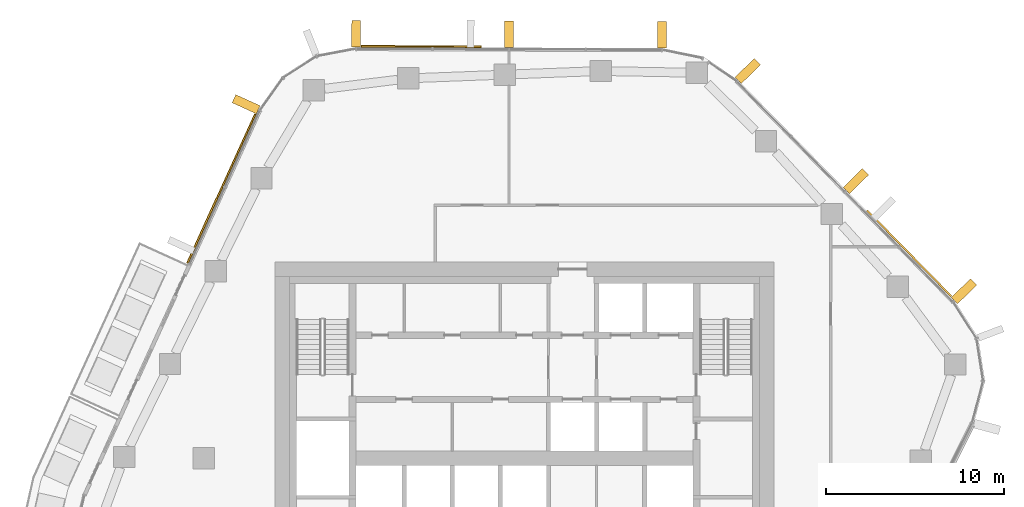
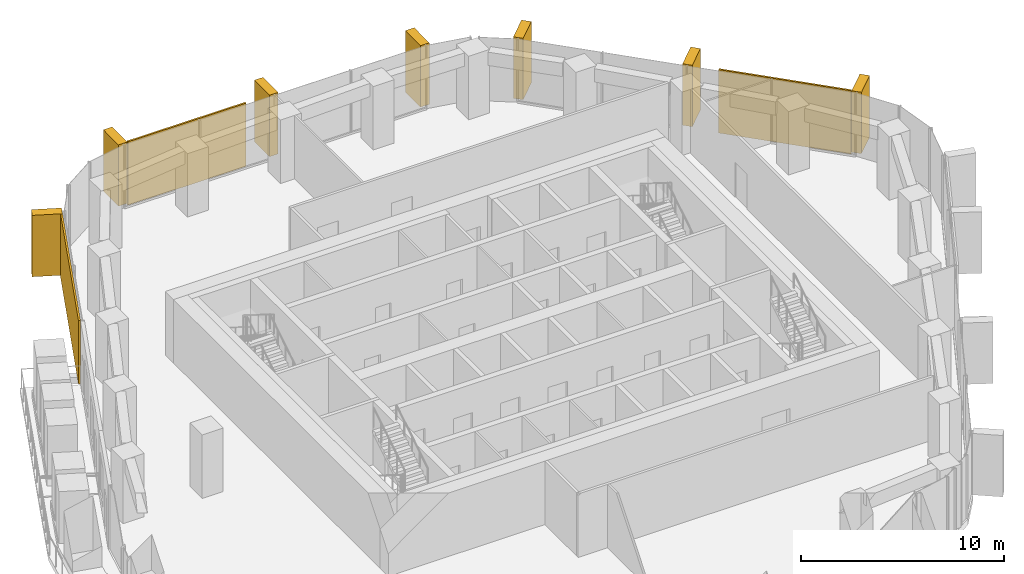
# One storey, part 18 of 18: 10 coverings, 3 elements without a shape of their own.
"""IFC4 building model written with IfcOpenShell, lengths in metres."""

import ifcopenshell
import ifcopenshell.guid

model = None  # the IFC model being written
_history = None  # IfcOwnerHistory: only IFC2X3 demands one
_inside = {}  # id of a spatial element -> (the spatial element, [elements in it])
_under = {}  # id of a project, library or spatial element -> (it, [spatial elements below it])
_declared = {}  # id of a project -> (the project, [libraries it declares])
_typed = {}  # id of a type object -> (the type object, [elements of that type])
_made_of = {}  # id of a material, layer set ... -> (it, [elements and type objects made of it])


def new_model(schema):
    """Start an empty IFC model of exactly this schema.

    Asked for "IFC4X3", IfcOpenShell would pick the latest addendum, in which some entities
    have other attributes; the version numbers below select the first issue.
    IFC2X3 requires an IfcOwnerHistory on every rooted entity: one is made here for all.
    """
    global model, _history
    if schema == "IFC4X3":
        model = ifcopenshell.file(schema_version=(4, 3, 0, 0))
    else:
        model = ifcopenshell.file(schema=schema)
    _inside.clear()
    _under.clear()
    _declared.clear()
    _typed.clear()
    _made_of.clear()
    _history = None
    if model.schema == "IFC2X3":
        org = make("IfcOrganization", Name="unknown")
        user = make(
            "IfcPersonAndOrganization",
            ThePerson=make("IfcPerson", FamilyName="unknown"),
            TheOrganization=org,
        )
        app = make(
            "IfcApplication",
            ApplicationDeveloper=org,
            Version="unknown",
            ApplicationFullName="unknown",
            ApplicationIdentifier="unknown",
        )
        _history = make(
            "IfcOwnerHistory",
            OwningUser=user,
            OwningApplication=app,
            ChangeAction="ADDED",
            CreationDate=0,
        )
    return model


def make(cls, **values):
    """One entity of the class cls with the attributes given. An attribute that is None is left unset."""
    return model.create_entity(
        cls, **{name: value for name, value in values.items() if value is not None}
    )


def rooted(cls, **values):
    """An entity with a GlobalId (a new one), such as an element, a storey or a relation."""
    return make(cls, GlobalId=ifcopenshell.guid.new(), OwnerHistory=_history, **values)


def si_unit(unit_type, name, prefix=None):
    """IfcSIUnit, for example si_unit("LENGTHUNIT", "METRE", prefix="MILLI")."""
    return make("IfcSIUnit", UnitType=unit_type, Prefix=prefix, Name=name)


def assignment(units):
    """IfcUnitAssignment: the units of a project."""
    return None if units is None else make("IfcUnitAssignment", Units=units)


def point(xyz):
    """IfcCartesianPoint."""
    return None if xyz is None else make("IfcCartesianPoint", Coordinates=xyz)


def direction(xyz):
    """IfcDirection."""
    return None if xyz is None else make("IfcDirection", DirectionRatios=xyz)


def frame(location, z_axis=None, x_axis=None):
    """IfcAxis2Placement3D, a coordinate frame: its origin and axes. An axis left out is left unset."""
    return make(
        "IfcAxis2Placement3D",
        Location=point(location),
        Axis=direction(z_axis),
        RefDirection=direction(x_axis),
    )


def frame_2d(location, x_axis=None):
    """IfcAxis2Placement2D, a coordinate frame in the plane: its origin and x axis."""
    return make(
        "IfcAxis2Placement2D", Location=point(location), RefDirection=direction(x_axis)
    )


def origin():
    """The frame at (0, 0, 0) with its axes left unset."""
    return frame((0.0, 0.0, 0.0))


def origin_2d():
    """The frame at (0, 0) in the plane with its x axis left unset."""
    return frame_2d((0.0, 0.0))


def place(relative_to, where):
    """IfcLocalPlacement: puts the frame where relative to a parent placement (None: the world)."""
    return make(
        "IfcLocalPlacement", PlacementRelTo=relative_to, RelativePlacement=where
    )


def context(
    kind, dimensions, precision=None, world=None, true_north=None, identifier=None
):
    """IfcGeometricRepresentationContext, for example the 3D "Model" context."""
    return make(
        "IfcGeometricRepresentationContext",
        ContextIdentifier=identifier,
        ContextType=kind,
        CoordinateSpaceDimension=dimensions,
        Precision=precision,
        WorldCoordinateSystem=world,
        TrueNorth=true_north,
    )


def subcontext(parent, identifier, kind, view, scale=None):
    """IfcGeometricRepresentationSubContext, for example "Body" below "Model"."""
    return make(
        "IfcGeometricRepresentationSubContext",
        ContextIdentifier=identifier,
        ContextType=kind,
        ParentContext=parent,
        TargetScale=scale,
        TargetView=view,
    )


def project(units=None, contexts=None):
    """IfcProject with its units and contexts."""
    return rooted(
        "IfcProject",
        Name="project",
        RepresentationContexts=contexts,
        UnitsInContext=assignment(units),
    )


def spatial(cls, under=None, at=None, **own):
    """A site, building, storey or space (cls), placed at a placement, below another one or the project."""
    s = rooted(cls, ObjectPlacement=at, **own)
    if under is not None:
        _under.setdefault(under.id(), (under, []))[1].append(s)
    return s


def profile(cls, at=None, kind="AREA", **sizes):
    """A parametric profile (cls). Its sizes go by their IFC names, for example OverallWidth=200.0."""
    return make(cls, ProfileType=kind, Position=at, **sizes)


def rectangle(**sizes):
    """IfcRectangleProfileDef."""
    return profile("IfcRectangleProfileDef", **sizes)


def extrude(swept, where, along, depth):
    """IfcExtrudedAreaSolid: the profile swept, set in the frame where, extruded along a direction by depth."""
    return make(
        "IfcExtrudedAreaSolid",
        SweptArea=swept,
        Position=where,
        ExtrudedDirection=direction(along),
        Depth=depth,
    )


def shape(context_of_items, identifier, shape_type, items):
    """IfcShapeRepresentation: the items that make up one representation, for example the "Body"."""
    return make(
        "IfcShapeRepresentation",
        ContextOfItems=context_of_items,
        RepresentationIdentifier=identifier,
        RepresentationType=shape_type,
        Items=items,
    )


def material(Name=None, Category=None):
    """IfcMaterial."""
    return make("IfcMaterial", Name=Name, Category=Category)


def layer(
    of_material, thickness, ventilated=None, Name=None, Category=None, Priority=None
):
    """IfcMaterialLayer: one layer of a wall or slab, of a material (None: an air gap)."""
    return make(
        "IfcMaterialLayer",
        Material=of_material,
        LayerThickness=thickness,
        IsVentilated=ventilated,
        Name=Name,
        Category=Category,
        Priority=Priority,
    )


def layer_set(layers, Name=None):
    """IfcMaterialLayerSet."""
    return make("IfcMaterialLayerSet", MaterialLayers=layers, LayerSetName=Name)


def material_profile(
    of_material, cross_section, Name=None, Category=None, Priority=None
):
    """IfcMaterialProfile: a cross section and its material."""
    return make(
        "IfcMaterialProfile",
        Name=Name,
        Material=of_material,
        Profile=cross_section,
        Priority=Priority,
        Category=Category,
    )


def profile_set(profiles, Name=None, composite=None):
    """IfcMaterialProfileSet."""
    return make(
        "IfcMaterialProfileSet",
        Name=Name,
        MaterialProfiles=profiles,
        CompositeProfile=composite,
    )


def made_of(thing, what):
    """Note that an element or type object is made of a material, layer set ...; save() writes the relation."""
    if what is not None:
        _made_of.setdefault(what.id(), (what, []))[1].append(thing)
    return thing


def type_object(cls, material=None, **own):
    """A type object (cls), such as IfcWallType, which elements share."""
    return made_of(rooted(cls, **own), material)


def element(
    cls,
    number,
    at=None,
    inside=None,
    cuts=None,
    type_object=None,
    material=None,
    context=None,
    identifier="Body",
    shape_type=None,
    held_by="IfcProductDefinitionShape",
    body=None,
    shapes=None,
    **own,
):
    """One element of the class cls, such as IfcWall. Its Tag is "e" and its number.

    at: its placement. inside: the storey or other place that contains it. cuts: it is an
    opening in that element (IfcRelVoidsElement). A single representation is given by context,
    identifier, shape_type and body (its items); several are given by shapes. held_by: the class
    of the entity that holds the representations. save() writes the other relations.
    """
    e = rooted(cls, Tag="e%d" % number, ObjectPlacement=at, **own)
    if body is not None:
        shapes = [shape(context, identifier, shape_type, body)]
    if shapes is not None:
        e.Representation = make(held_by, Representations=shapes)
    if inside is not None:
        _inside.setdefault(inside.id(), (inside, []))[1].append(e)
    if cuts is not None:
        rooted(
            "IfcRelVoidsElement", RelatingBuildingElement=cuts, RelatedOpeningElement=e
        )
    if type_object is not None:
        _typed.setdefault(type_object.id(), (type_object, []))[1].append(e)
    return made_of(e, material)


def aggregate(whole, parts):
    """IfcRelAggregates: a whole, such as a stair, and the parts it consists of."""
    return rooted("IfcRelAggregates", RelatingObject=whole, RelatedObjects=parts)


def save(model, path):
    """Write the relations noted so far, then the file.

    IfcRelAggregates (storeys below a building ...), IfcRelContainedInSpatialStructure (elements
    in a storey), IfcRelDefinesByType, IfcRelAssociatesMaterial and IfcRelDeclares: one each for
    every whole, place, type object, material and project.
    """
    for whole, parts in _under.values():
        aggregate(whole, parts)
    for where, things in _inside.values():
        rooted(
            "IfcRelContainedInSpatialStructure",
            RelatedElements=things,
            RelatingStructure=where,
        )
    for kind, things in _typed.values():
        rooted("IfcRelDefinesByType", RelatedObjects=things, RelatingType=kind)
    for what, things in _made_of.values():
        rooted("IfcRelAssociatesMaterial", RelatedObjects=things, RelatingMaterial=what)
    for by, libraries in _declared.values():
        rooted("IfcRelDeclares", RelatingContext=by, RelatedDefinitions=libraries)
    model.write(path)


model = new_model("IFC4")

# Units and contexts
model_context = context("Model", 3, precision=1e-05, world=origin(), true_north=direction((0.0, 1.0)))
body_context = subcontext(model_context, "Body", "Model", "MODEL_VIEW")
ifc_project = project(units=[si_unit("LENGTHUNIT", "METRE"), si_unit("AREAUNIT", "SQUARE_METRE"), si_unit("VOLUMEUNIT", "CUBIC_METRE"), si_unit("PLANEANGLEUNIT", "RADIAN"), si_unit("MASSUNIT", "GRAM", prefix="KILO")], contexts=[model_context])

# Site, building, storey
site_placement = place(None, origin())
site = spatial("IfcSite", under=ifc_project, at=site_placement, CompositionType="ELEMENT")
building_placement = place(site_placement, origin())
building = spatial("IfcBuilding", under=site, at=building_placement, Name="Dongbaek Canopy Tower", CompositionType="ELEMENT")
storey_placement = place(building_placement, frame((0.0, 0.0, 203.0)))
storey = spatial("IfcBuildingStorey", under=building, at=storey_placement, Name="L42", CompositionType="ELEMENT", Elevation=203.0)

# Curtain wall, covering
ifc_material_1 = material(Name="Aluminium 6063-T6 pale anodised", Category="aluminium")
ifc_layer_1 = layer(ifc_material_1, 0.199951171875)
ifc_layer_set_1 = layer_set([ifc_layer_1], Name="CW-1 unitised tower curtain wall")
curtain_wall_type = type_object("IfcCurtainWallType", Name="CW-1 unitised tower curtain wall", PredefinedType="NOTDEFINED", material=ifc_layer_set_1)
curtain_wall_1_placement = place(storey_placement, origin())
curtain_wall_1 = element("IfcCurtainWall", 1, at=curtain_wall_1_placement, inside=storey, type_object=curtain_wall_type, Name="CW-1 curtain wall F0.1", PredefinedType="NOTDEFINED")
ifc_material_2 = material(Name="Perforated aluminium 6063-T6 pale metal screen", Category="aluminium")
ifc_layer_2 = layer(ifc_material_2, 0.10009765625)
ifc_layer_set_2 = layer_set([ifc_layer_2], Name="Facet screen FS1 100 pale metal")
covering_type_1 = type_object("IfcCoveringType", Name="Facet screen FS1 100 pale metal", PredefinedType="CLADDING", material=ifc_layer_set_2)
covering_1_placement = place(storey_placement, frame((21.599365234375, 11.500244140625, 0.0), z_axis=(0.0, 0.0, 1.0), x_axis=(-0.700367549606, 0.713782386627, 0.0)))
covering_1 = element("IfcCovering", 2, at=covering_1_placement, type_object=covering_type_1, Name="Facet screen L42 F0", PredefinedType="CLADDING", context=body_context, shape_type="SweptSolid", body=[
    extrude(rectangle(XDim=6.77294921875, YDim=0.10009765625, at=origin_2d()), origin(), (0.0, 0.0, 1.0), 3.820068359375),
])

curtain_wall_2_placement = place(storey_placement, origin())
curtain_wall_2 = element("IfcCurtainWall", 3, at=curtain_wall_2_placement, inside=storey, type_object=curtain_wall_type, Name="CW-1 curtain wall F1.1", PredefinedType="NOTDEFINED")
covering_2_placement = place(storey_placement, frame((-5.79638671875, 23.112548828125, 0.0), z_axis=(0.0, 0.0, 1.0), x_axis=(-0.999993244757, 0.003675655128, 0.0)))
covering_2 = element("IfcCovering", 4, at=covering_2_placement, type_object=covering_type_1, Name="Facet screen L42 F1", PredefinedType="CLADDING", context=body_context, shape_type="SweptSolid", body=[
    extrude(rectangle(XDim=6.7255859375, YDim=0.10009765625, at=origin_2d()), origin(), (0.0, 0.0, 1.0), 3.820068359375),
])

curtain_wall_3_placement = place(storey_placement, origin())
curtain_wall_3 = element("IfcCurtainWall", 5, at=curtain_wall_3_placement, inside=storey, type_object=curtain_wall_type, Name="CW-1 curtain wall F2.1", PredefinedType="NOTDEFINED")
covering_3_placement = place(storey_placement, frame((-17.013671875, 15.131591796875, 0.0), z_axis=(0.0, 0.0, 1.0), x_axis=(-0.414755180794, -0.909933041495, 0.0)))
covering_3 = element("IfcCovering", 6, at=covering_3_placement, type_object=covering_type_1, Name="Facet screen L42 F2", PredefinedType="CLADDING", context=body_context, shape_type="SweptSolid", body=[
    extrude(rectangle(XDim=9.195556640625, YDim=0.10009765625, at=origin_2d()), origin(), (0.0, 0.0, 1.0), 3.820068359375),
])

# Covering
ifc_material_3 = material(Name="Aluminium 6063-T6 pale metal fin", Category="aluminium")
ifc_material_profile = material_profile(ifc_material_3, rectangle(XDim=1.5, YDim=0.5, at=origin_2d()), Name="Fin FN1 500 x 1500 pale metal")
ifc_profile_set = profile_set([ifc_material_profile], Name="Aluminium 6063-T6 pale metal fin")
covering_type_2 = type_object("IfcCoveringType", Name="Fin FN1 500 x 1500 pale metal", PredefinedType="CLADDING", material=ifc_profile_set)
covering_4_placement = place(storey_placement, frame((24.6767578125, 9.369140625, 0.1201171875), z_axis=(0.0, 0.0, 1.0), x_axis=(0.713782398301, 0.700367537709, 0.0)))
covering_4 = element("IfcCovering", 7, at=covering_4_placement, type_object=covering_type_2, Name="Fin F0.1.1", PredefinedType="CLADDING", context=body_context, shape_type="SweptSolid", body=[
    extrude(rectangle(XDim=1.5, YDim=0.5, at=origin_2d()), origin(), (0.0, 0.0, 1.0), 3.699951171875),
])

covering_5_placement = place(storey_placement, frame((18.60888671875, 15.552978515625, 0.1201171875), z_axis=(0.0, 0.0, 1.0), x_axis=(0.713782398301, 0.700367537709, 0.0)))
covering_5 = element("IfcCovering", 8, at=covering_5_placement, type_object=covering_type_2, Name="Fin F0.1.3", PredefinedType="CLADDING", context=body_context, shape_type="SweptSolid", body=[
    extrude(rectangle(XDim=1.5, YDim=0.5, at=origin_2d()), origin(), (0.0, 0.0, 1.0), 3.699951171875),
])

covering_6_placement = place(storey_placement, frame((12.540771484375, 21.7373046875, 0.1201171875), z_axis=(0.0, 0.0, 1.0), x_axis=(0.713782398301, 0.700367537709, 0.0)))
covering_6 = element("IfcCovering", 9, at=covering_6_placement, type_object=covering_type_2, Name="Fin F0.1.5", PredefinedType="CLADDING", context=body_context, shape_type="SweptSolid", body=[
    extrude(rectangle(XDim=1.5, YDim=0.5, at=origin_2d()), origin(), (0.0, 0.0, 1.0), 3.699951171875),
])

aggregate(curtain_wall_1, [covering_4, covering_5, covering_6, covering_1])

covering_7_placement = place(storey_placement, frame((7.730712890625, 23.766845703125, 0.1201171875), z_axis=(0.0, 0.0, 1.0), x_axis=(0.003675442583, 0.999993245538, 0.0)))
covering_7 = element("IfcCovering", 10, at=covering_7_placement, type_object=covering_type_2, Name="Fin F1.1.1", PredefinedType="CLADDING", context=body_context, shape_type="SweptSolid", body=[
    extrude(rectangle(XDim=1.5, YDim=0.5, at=origin_2d()), origin(), (0.0, 0.0, 1.0), 3.699951171875),
])

covering_8_placement = place(storey_placement, frame((-0.857666015625, 23.79833984375, 0.1201171875), z_axis=(0.0, 0.0, 1.0), x_axis=(0.003675442583, 0.999993245538, 0.0)))
covering_8 = element("IfcCovering", 11, at=covering_8_placement, type_object=covering_type_2, Name="Fin F1.1.3", PredefinedType="CLADDING", context=body_context, shape_type="SweptSolid", body=[
    extrude(rectangle(XDim=1.5, YDim=0.5, at=origin_2d()), origin(), (0.0, 0.0, 1.0), 3.699951171875),
])

covering_9_placement = place(storey_placement, frame((-9.446533203125, 23.830078125, 0.1201171875), z_axis=(0.0, 0.0, 1.0), x_axis=(0.003675442583, 0.999993245538, 0.0)))
covering_9 = element("IfcCovering", 12, at=covering_9_placement, type_object=covering_type_2, Name="Fin F1.1.5", PredefinedType="CLADDING", context=body_context, shape_type="SweptSolid", body=[
    extrude(rectangle(XDim=1.5, YDim=0.5, at=origin_2d()), origin(), (0.0, 0.0, 1.0), 3.699951171875),
])

aggregate(curtain_wall_2, [covering_7, covering_8, covering_9, covering_2])

covering_10_placement = place(storey_placement, frame((-15.626953125, 19.87109375, 0.1201171875), z_axis=(0.0, 0.0, 1.0), x_axis=(-0.909932941374, 0.414755400449, 0.0)))
covering_10 = element("IfcCovering", 13, at=covering_10_placement, type_object=covering_type_2, Name="Fin F2.1.1", PredefinedType="CLADDING", context=body_context, shape_type="SweptSolid", body=[
    extrude(rectangle(XDim=1.5, YDim=0.5, at=origin_2d()), origin(), (0.0, 0.0, 1.0), 3.699951171875),
])

aggregate(curtain_wall_3, [covering_10, covering_3])

save(model, "model.ifc")
